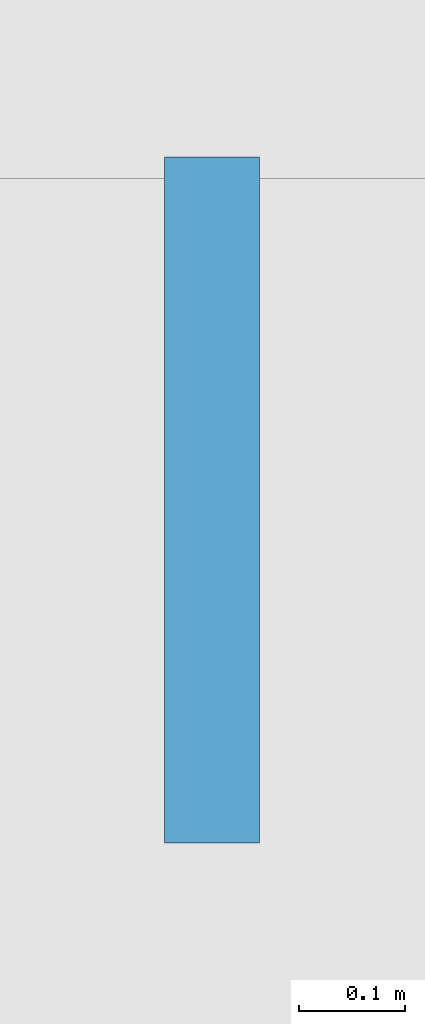
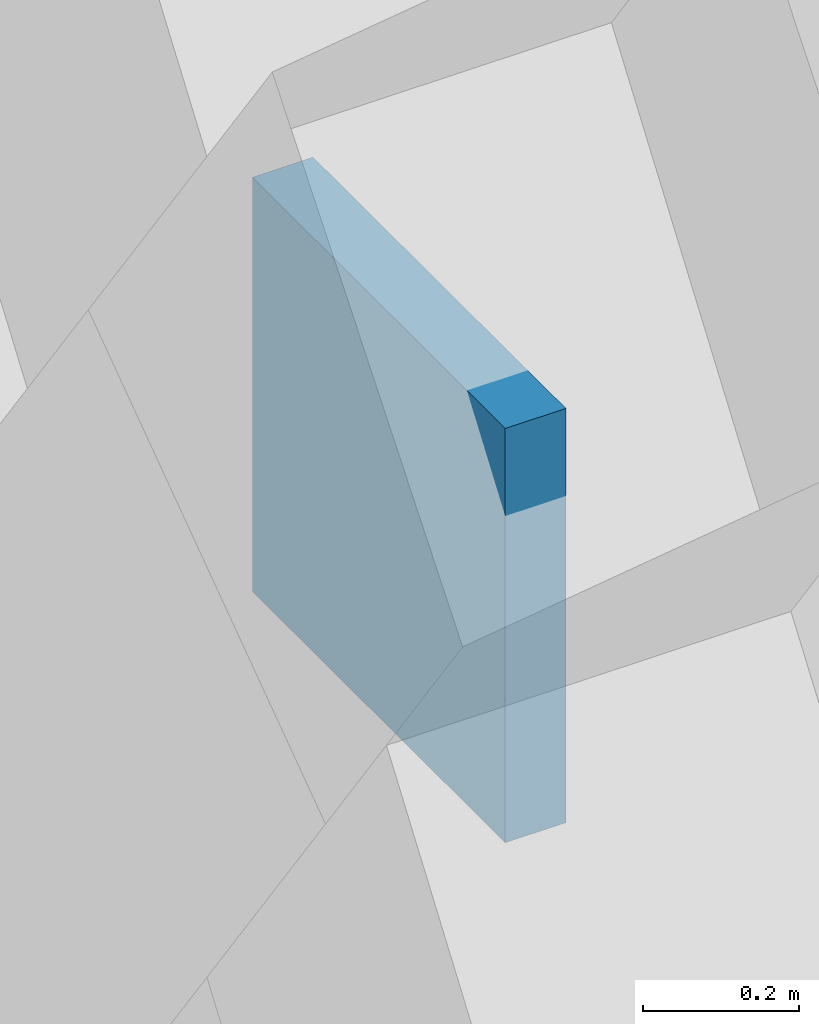
# One storey, part 33 of 47: 1 plate.
"""IFC4 building model written with IfcOpenShell, lengths in metres."""

from ifc_helpers import new_model, si_unit, direction, frame, origin, origin_2d, place, context, subcontext, project, spatial, rectangle, extrude, material, layer, layer_set, type_object, element, save


model = new_model("IFC4")

# Units and contexts
model_context = context("Model", 3, precision=1e-05, world=origin(), true_north=direction((0.0, 1.0)))
body_context = subcontext(model_context, "Body", "Model", "MODEL_VIEW")
ifc_project = project(units=[si_unit("LENGTHUNIT", "METRE"), si_unit("AREAUNIT", "SQUARE_METRE"), si_unit("VOLUMEUNIT", "CUBIC_METRE"), si_unit("PLANEANGLEUNIT", "RADIAN"), si_unit("MASSUNIT", "GRAM", prefix="KILO"), si_unit("THERMODYNAMICTEMPERATUREUNIT", "KELVIN"), si_unit("POWERUNIT", "WATT")], contexts=[model_context])

# Site, building, storey
site_placement = place(None, origin())
site = spatial("IfcSite", under=ifc_project, at=site_placement, CompositionType="ELEMENT")
building_placement = place(site_placement, origin())
building = spatial("IfcBuilding", under=site, at=building_placement, Name="Tembeka Court Mobility Hub", CompositionType="ELEMENT")
storey_placement = place(building_placement, frame((0.0, 0.0, 19.800048828125)))
storey = spatial("IfcBuildingStorey", under=building, at=storey_placement, Name="L05", CompositionType="ELEMENT", Elevation=19.800048828125)

# Plate
ifc_material = material(Name="Precast concrete C45/55", Category="concrete")
ifc_layer = layer(ifc_material, 0.090087890625)
ifc_layer_set = layer_set([ifc_layer], Name="Precast concrete C45/55")
plate_type = type_object("IfcPlateType", Name="PL-PC01", PredefinedType="SHEET", material=ifc_layer_set)
plate_placement = place(storey_placement, frame((-0.340087890625, 62.550048828125, 1.159912109375), z_axis=(0.0, 0.0, 1.0), x_axis=(1.0, 0.0, 0.0)))
element("IfcPlate", 1, at=plate_placement, inside=storey, type_object=plate_type, Name="Precast diamond lattice node plate PCN01 (L05-906)", PredefinedType="SHEET", context=body_context, shape_type="SweptSolid", body=[
    extrude(rectangle(XDim=0.090087890625, YDim=0.64990234375, at=origin_2d()), origin(), (0.0, 0.0, 1.0), 0.64990234375),
])

save(model, "model.ifc")
